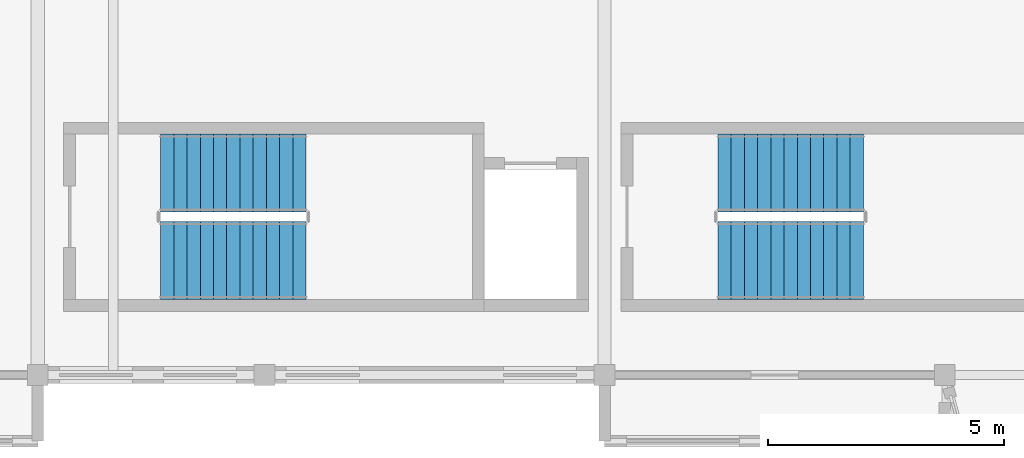
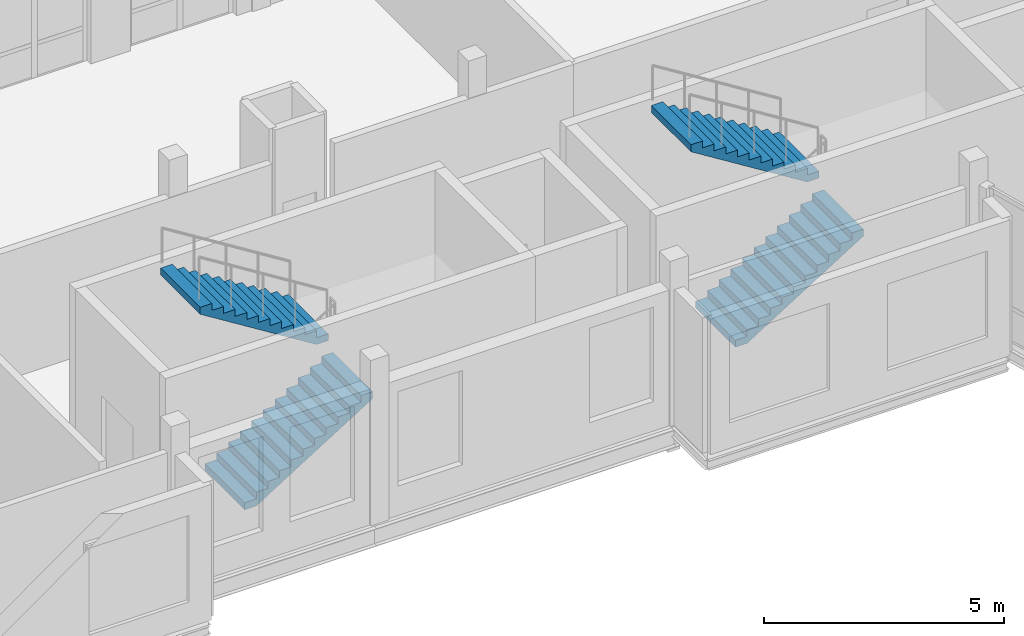
# One storey, part 65 of 81: 4 stair flights, 2 elements without a shape of their own.
"""IFC4 building model written with IfcOpenShell, lengths in metres."""

from ifc_helpers import new_model, si_unit, direction, frame, origin, place, context, subcontext, project, spatial, polyline, outline, extrude, material, type_object, element, aggregate, save


model = new_model("IFC4")

# Units and contexts
model_context = context("Model", 3, precision=1e-05, world=origin(), true_north=direction((0.0, 1.0)))
body_context = subcontext(model_context, "Body", "Model", "MODEL_VIEW")
ifc_project = project(units=[si_unit("LENGTHUNIT", "METRE"), si_unit("AREAUNIT", "SQUARE_METRE"), si_unit("VOLUMEUNIT", "CUBIC_METRE"), si_unit("PLANEANGLEUNIT", "RADIAN"), si_unit("MASSUNIT", "GRAM", prefix="KILO")], contexts=[model_context])

# Site, building, storey
site_placement = place(None, origin())
site = spatial("IfcSite", under=ifc_project, at=site_placement, CompositionType="ELEMENT")
building_placement = place(site_placement, origin())
building = spatial("IfcBuilding", under=site, at=building_placement, Name="Kahlenmark Community Centre", CompositionType="ELEMENT")
storey_placement = place(building_placement, frame((0.0, 0.0, 9.60009765625)))
storey = spatial("IfcBuildingStorey", under=building, at=storey_placement, Name="L02", CompositionType="ELEMENT", Elevation=9.60009765625)

# Stair, stair flights
ifc_material = material(Name="Concrete C35/45", Category="concrete")
stair_type_1 = type_object("IfcStairType", Name="STT-CORE-ST-04-175", PredefinedType="HALF_TURN_STAIR", material=ifc_material)
stair_1_placement = place(storey_placement, origin())
stair_1 = element("IfcStair", 1, at=stair_1_placement, inside=storey, type_object=stair_type_1, Name="L02 Core K4 Escape Stair ST-04", PredefinedType="HALF_TURN_STAIR")
stair_flight_type_1 = type_object("IfcStairFlightType", Name="SFT-CORE-ST-04-175", PredefinedType="STRAIGHT", material=ifc_material)
stair_flight_1_placement = place(storey_placement, frame((48.60009765625, 100.02490234375, 0.0), z_axis=(0.0, 0.0, 1.0), x_axis=(1.0, 0.0, 0.0)))
stair_flight_1 = element("IfcStairFlight", 2, at=stair_flight_1_placement, type_object=stair_flight_type_1, Name="ST-04 flight 1", NumberOfRisers=12, NumberOfTreads=11, PredefinedType="STRAIGHT", RiserHeight=0.175, TreadLength=0.28, context=body_context, shape_type="SweptSolid", body=[
    extrude(outline(polyline([(0.0, 0.0), (0.0, 0.175048828125), (0.280029296875, 0.175048828125), (0.280029296875, 0.35009765625), (0.56005859375, 0.35009765625), (0.56005859375, 0.52490234375), (0.840087890625, 0.52490234375), (0.840087890625, 0.699951171875), (1.1201171875, 0.699951171875), (1.1201171875, 0.875), (1.39990234375, 0.875), (1.39990234375, 1.050048828125), (1.679931640625, 1.050048828125), (1.679931640625, 1.22509765625), (1.9599609375, 1.22509765625), (1.9599609375, 1.39990234375), (2.239990234375, 1.39990234375), (2.239990234375, 1.574951171875), (2.52001953125, 1.574951171875), (2.52001953125, 1.75), (2.800048828125, 1.75), (2.800048828125, 1.925048828125), (3.080078125, 1.925048828125), (3.080078125, 2.10009765625), (3.080078125, 1.748291015625), (0.28271484375, 0.0), (0.0, 0.0)])), frame((0.0, 0.824951171875, 0.0), z_axis=(0.0, -1.0, 0.0), x_axis=(1.0, 0.0, 0.0)), (0.0, 0.0, 1.0), 1.64990234375),
])
stair_flight_2_placement = place(storey_placement, frame((51.679931640625, 101.875, 2.099853515625), z_axis=(0.0, 0.0, 1.0), x_axis=(-1.0, 0.0, 0.0)))
stair_flight_2 = element("IfcStairFlight", 3, at=stair_flight_2_placement, type_object=stair_flight_type_1, Name="ST-04 flight 2", NumberOfRisers=12, NumberOfTreads=11, PredefinedType="STRAIGHT", RiserHeight=0.175, TreadLength=0.28, context=body_context, shape_type="SweptSolid", body=[
    extrude(outline(polyline([(0.0, 0.0), (0.0, 0.175048828125), (0.280029296875, 0.175048828125), (0.280029296875, 0.35009765625), (0.56005859375, 0.35009765625), (0.56005859375, 0.52490234375), (0.840087890625, 0.52490234375), (0.840087890625, 0.699951171875), (1.1201171875, 0.699951171875), (1.1201171875, 0.875), (1.39990234375, 0.875), (1.39990234375, 1.050048828125), (1.679931640625, 1.050048828125), (1.679931640625, 1.22509765625), (1.9599609375, 1.22509765625), (1.9599609375, 1.39990234375), (2.239990234375, 1.39990234375), (2.239990234375, 1.574951171875), (2.52001953125, 1.574951171875), (2.52001953125, 1.75), (2.800048828125, 1.75), (2.800048828125, 1.925048828125), (3.080078125, 1.925048828125), (3.080078125, 2.10009765625), (3.080078125, 1.748291015625), (0.28271484375, 0.0), (0.0, 0.0)])), frame((0.0, 0.824951171875, 0.0), z_axis=(0.0, -1.0, 0.0), x_axis=(1.0, 0.0, 0.0)), (0.0, 0.0, 1.0), 1.64990234375),
])
aggregate(stair_1, [stair_flight_1, stair_flight_2])

stair_type_2 = type_object("IfcStairType", Name="STT-CORE-ST-05-175", PredefinedType="HALF_TURN_STAIR", material=ifc_material)
stair_2_placement = place(storey_placement, origin())
stair_2 = element("IfcStair", 4, at=stair_2_placement, inside=storey, type_object=stair_type_2, Name="L02 Core K5 Escape Stair ST-05", PredefinedType="HALF_TURN_STAIR")
stair_flight_type_2 = type_object("IfcStairFlightType", Name="SFT-CORE-ST-05-175", PredefinedType="STRAIGHT", material=ifc_material)
stair_flight_3_placement = place(storey_placement, frame((60.39990234375, 100.02490234375, 0.0), z_axis=(0.0, 0.0, 1.0), x_axis=(1.0, 0.0, 0.0)))
stair_flight_3 = element("IfcStairFlight", 5, at=stair_flight_3_placement, type_object=stair_flight_type_2, Name="ST-05 flight 1", NumberOfRisers=12, NumberOfTreads=11, PredefinedType="STRAIGHT", RiserHeight=0.175, TreadLength=0.28, context=body_context, shape_type="SweptSolid", body=[
    extrude(outline(polyline([(0.0, 0.0), (0.0, 0.175048828125), (0.280029296875, 0.175048828125), (0.280029296875, 0.35009765625), (0.56005859375, 0.35009765625), (0.56005859375, 0.52490234375), (0.840087890625, 0.52490234375), (0.840087890625, 0.699951171875), (1.1201171875, 0.699951171875), (1.1201171875, 0.875), (1.39990234375, 0.875), (1.39990234375, 1.050048828125), (1.679931640625, 1.050048828125), (1.679931640625, 1.22509765625), (1.9599609375, 1.22509765625), (1.9599609375, 1.39990234375), (2.239990234375, 1.39990234375), (2.239990234375, 1.574951171875), (2.52001953125, 1.574951171875), (2.52001953125, 1.75), (2.800048828125, 1.75), (2.800048828125, 1.925048828125), (3.080078125, 1.925048828125), (3.080078125, 2.10009765625), (3.080078125, 1.748291015625), (0.28271484375, 0.0), (0.0, 0.0)])), frame((0.0, 0.824951171875, 0.0), z_axis=(0.0, -1.0, 0.0), x_axis=(1.0, 0.0, 0.0)), (0.0, 0.0, 1.0), 1.64990234375),
])
stair_flight_4_placement = place(storey_placement, frame((63.47998046875, 101.875, 2.099853515625), z_axis=(0.0, 0.0, 1.0), x_axis=(-1.0, 0.0, 0.0)))
stair_flight_4 = element("IfcStairFlight", 6, at=stair_flight_4_placement, type_object=stair_flight_type_2, Name="ST-05 flight 2", NumberOfRisers=12, NumberOfTreads=11, PredefinedType="STRAIGHT", RiserHeight=0.175, TreadLength=0.28, context=body_context, shape_type="SweptSolid", body=[
    extrude(outline(polyline([(0.0, 0.0), (0.0, 0.175048828125), (0.280029296875, 0.175048828125), (0.280029296875, 0.35009765625), (0.56005859375, 0.35009765625), (0.56005859375, 0.52490234375), (0.840087890625, 0.52490234375), (0.840087890625, 0.699951171875), (1.1201171875, 0.699951171875), (1.1201171875, 0.875), (1.39990234375, 0.875), (1.39990234375, 1.050048828125), (1.679931640625, 1.050048828125), (1.679931640625, 1.22509765625), (1.9599609375, 1.22509765625), (1.9599609375, 1.39990234375), (2.239990234375, 1.39990234375), (2.239990234375, 1.574951171875), (2.52001953125, 1.574951171875), (2.52001953125, 1.75), (2.800048828125, 1.75), (2.800048828125, 1.925048828125), (3.080078125, 1.925048828125), (3.080078125, 2.10009765625), (3.080078125, 1.748291015625), (0.28271484375, 0.0), (0.0, 0.0)])), frame((0.0, 0.824951171875, 0.0), z_axis=(0.0, -1.0, 0.0), x_axis=(1.0, 0.0, 0.0)), (0.0, 0.0, 1.0), 1.64990234375),
])
aggregate(stair_2, [stair_flight_3, stair_flight_4])

save(model, "model.ifc")
